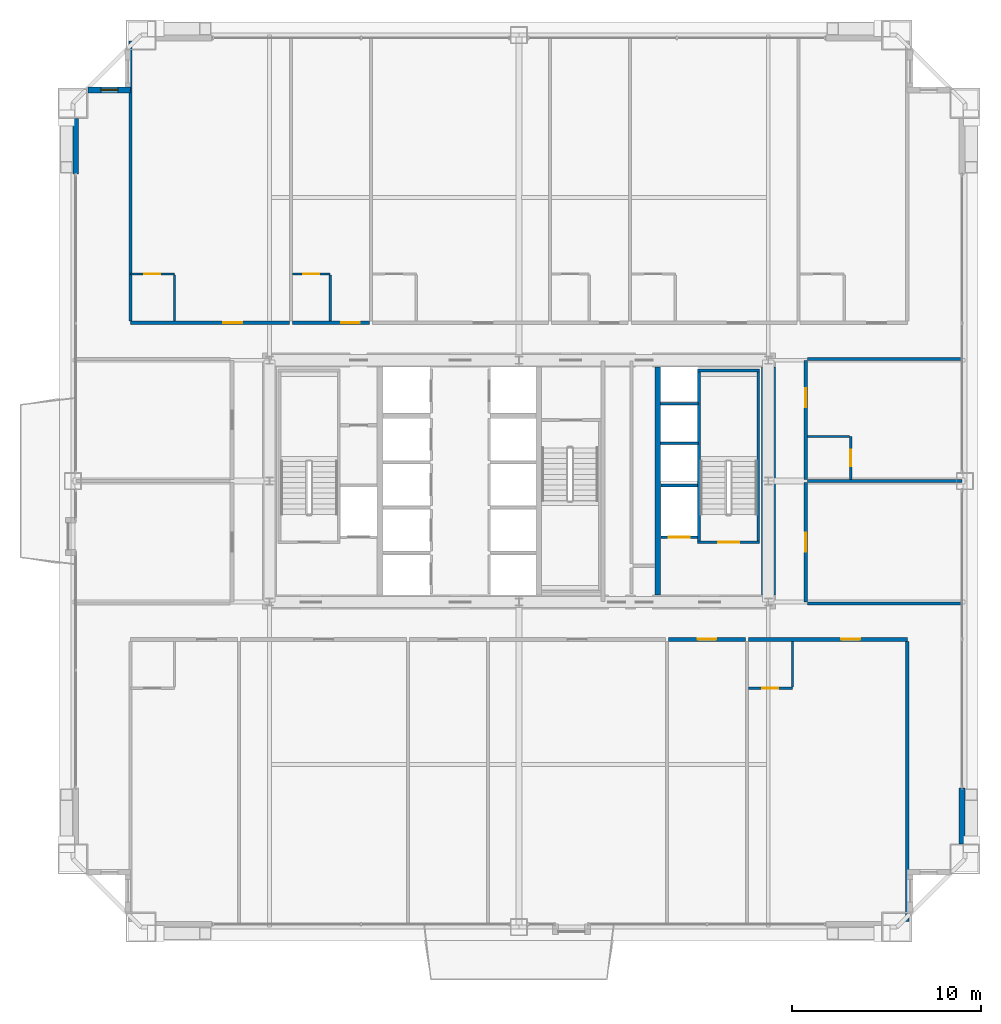
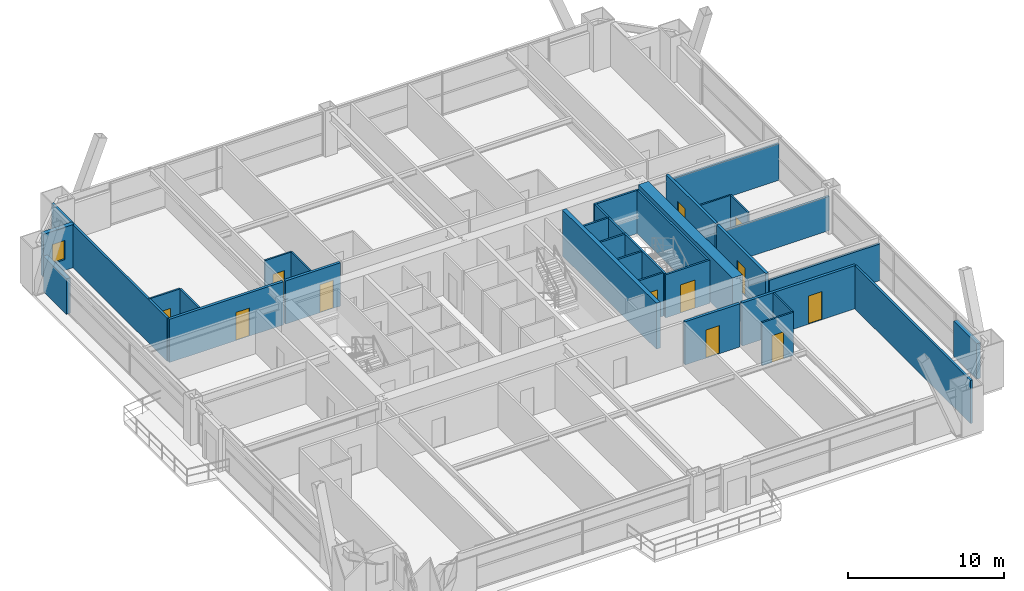
# One storey, part 40 of 42: 32 walls, 12 doors, 1 window, 13 openings.
"""IFC4 building model written with IfcOpenShell, lengths in metres."""

from ifc_helpers import new_model, si_unit, direction, frame, frame_2d, origin, place, context, subcontext, project, spatial, rectangle, extrude, source, transform, mapped, material, layer, layer_set, type_object, element, fill, save


model = new_model("IFC4")

# Units and contexts
model_context = context("Model", 3, precision=1e-05, world=origin(), true_north=direction((0.0, 1.0)))
body_context = subcontext(model_context, "Body", "Model", "MODEL_VIEW")
ifc_project = project(units=[si_unit("LENGTHUNIT", "METRE"), si_unit("AREAUNIT", "SQUARE_METRE"), si_unit("VOLUMEUNIT", "CUBIC_METRE"), si_unit("PLANEANGLEUNIT", "RADIAN"), si_unit("MASSUNIT", "GRAM", prefix="KILO"), si_unit("THERMODYNAMICTEMPERATUREUNIT", "KELVIN"), si_unit("POWERUNIT", "WATT")], contexts=[model_context])

# Site, building, storey
site_placement = place(None, origin())
site = spatial("IfcSite", under=ifc_project, at=site_placement, CompositionType="ELEMENT")
building_placement = place(site_placement, origin())
building = spatial("IfcBuilding", under=site, at=building_placement, Name="Yuzanri Waterfront Tower", CompositionType="ELEMENT")
storey_placement = place(building_placement, frame((0.0, 0.0, 145.199951171875)))
storey = spatial("IfcBuildingStorey", under=building, at=storey_placement, Name="L38", CompositionType="ELEMENT", Elevation=145.199951171875)

# Wall, opening, door
ifc_material_1 = material(Name="Moisture-Resistant Gypsum Stud Wall", Category="gypsum")
ifc_layer_1 = layer(ifc_material_1, 0.1201171875)
ifc_layer_set_1 = layer_set([ifc_layer_1], Name="Moisture-Resistant Gypsum Stud Wall")
wall_type_1 = type_object("IfcWallType", Name="Bathroom and Kitchen Wet Partition 120", PredefinedType="PARTITIONING", material=ifc_layer_set_1)
wall_1_placement = place(storey_placement, frame((49.14208984375, 14.840087890625, 0.0), z_axis=(0.0, 0.0, 1.0), x_axis=(1.0, 0.0, 0.0)))
wall_1 = element("IfcWall", 1, at=wall_1_placement, inside=storey, type_object=wall_type_1, Name="L38 Partition UW-L38-S6-BS", PredefinedType="PARTITIONING", context=body_context, shape_type="SweptSolid", body=[
    extrude(rectangle(XDim=2.329833984375, YDim=0.1201171875, at=frame_2d((1.1650390625, 0.0))), origin(), (0.0, 0.0, 1.0), 3.380126953125),
])
opening_1_placement = place(wall_1_placement, frame((0.739990234375, 0.0, 0.0)))
opening_1 = element("IfcOpeningElement", 2, at=opening_1_placement, cuts=wall_1, Name="Opening ID-0850", PredefinedType="OPENING", context=body_context, shape_type="SweptSolid", body=[
    extrude(rectangle(XDim=0.85009765625, YDim=2.10009765625, at=frame_2d((0.425048828125, 1.050048828125))), frame((0.0, 0.074951171875, 0.0), z_axis=(0.0, -1.0, 0.0), x_axis=(1.0, 0.0, 0.0)), (0.0, 0.0, 1.0), 0.14990234375),
])
ifc_material_2 = material(Name="Moisture-Resistant Lacquered Timber", Category="wood")
door_type_1 = type_object("IfcDoorType", Name="En-Suite Bathroom and Kitchen Swing Door 850x2100", OperationType="NOTDEFINED", PredefinedType="DOOR", material=ifc_material_2)
shared_shape_1 = source(origin(), body_context, "Body", "SweptSolid", [
    extrude(rectangle(XDim=0.85009765625, YDim=2.10009765625, at=frame_2d((0.425048828125, 1.050048828125))), frame((0.0, 0.02490234375, 0.0), z_axis=(0.0, -1.0, 0.0), x_axis=(1.0, 0.0, 0.0)), (0.0, 0.0, 1.0), 0.050048828125),
])
door_1_placement = place(opening_1_placement, origin())
door_1 = element("IfcDoor", 3, at=door_1_placement, inside=storey, type_object=door_type_1, Name="L38 Guest En-Suite Door", OperationType="SINGLE_SWING_LEFT", OverallHeight=2.10009765625, OverallWidth=0.85009765625, PredefinedType="DOOR", context=body_context, shape_type="MappedRepresentation", body=[
    mapped(shared_shape_1, transform((0.0, 0.0, 0.0), scale=1.0)),
])
fill(opening_1, door_1)

wall_2_placement = place(storey_placement, frame((16.43994140625, 36.760009765625, 0.0), z_axis=(0.0, 0.0, 1.0), x_axis=(1.0, 0.0, 0.0)))
wall_2 = element("IfcWall", 4, at=wall_2_placement, inside=storey, type_object=wall_type_1, Name="L38 Partition UW-L38-N1-BN", PredefinedType="PARTITIONING", context=body_context, shape_type="SweptSolid", body=[
    extrude(rectangle(XDim=2.330078125, YDim=0.1201171875, at=frame_2d((1.1650390625, 0.0))), origin(), (0.0, 0.0, 1.0), 3.380126953125),
])
opening_2_placement = place(wall_2_placement, frame((0.739990234375, 0.0, 0.0)))
opening_2 = element("IfcOpeningElement", 5, at=opening_2_placement, cuts=wall_2, Name="Opening ID-0850", PredefinedType="OPENING", context=body_context, shape_type="SweptSolid", body=[
    extrude(rectangle(XDim=0.85009765625, YDim=2.10009765625, at=frame_2d((0.425048828125, 1.050048828125))), frame((0.0, 0.074951171875, 0.0), z_axis=(0.0, -1.0, 0.0), x_axis=(1.0, 0.0, 0.0)), (0.0, 0.0, 1.0), 0.14990234375),
])
door_2_placement = place(opening_2_placement, origin())
door_2 = element("IfcDoor", 6, at=door_2_placement, inside=storey, type_object=door_type_1, Name="L38 Guest En-Suite Door", OperationType="SINGLE_SWING_LEFT", OverallHeight=2.10009765625, OverallWidth=0.85009765625, PredefinedType="DOOR", context=body_context, shape_type="MappedRepresentation", body=[
    mapped(shared_shape_1, transform((0.0, 0.0, 0.0), scale=1.0)),
])
fill(opening_2, door_2)

wall_3_placement = place(storey_placement, frame((25.01806640625, 36.760009765625, 0.0), z_axis=(0.0, 0.0, 1.0), x_axis=(1.0, 0.0, 0.0)))
wall_3 = element("IfcWall", 7, at=wall_3_placement, inside=storey, type_object=wall_type_1, Name="L38 Partition UW-L38-N2-BN", PredefinedType="PARTITIONING", context=body_context, shape_type="SweptSolid", body=[
    extrude(rectangle(XDim=1.991943359375, YDim=0.1201171875, at=frame_2d((0.99609375, 0.0))), origin(), (0.0, 0.0, 1.0), 3.380126953125),
])
opening_3_placement = place(wall_3_placement, frame((0.571044921875, 0.0, 0.0)))
opening_3 = element("IfcOpeningElement", 8, at=opening_3_placement, cuts=wall_3, Name="Opening ID-0850", PredefinedType="OPENING", context=body_context, shape_type="SweptSolid", body=[
    extrude(rectangle(XDim=0.85009765625, YDim=2.10009765625, at=frame_2d((0.425048828125, 1.050048828125))), frame((0.0, 0.074951171875, 0.0), z_axis=(0.0, -1.0, 0.0), x_axis=(1.0, 0.0, 0.0)), (0.0, 0.0, 1.0), 0.14990234375),
])
door_3_placement = place(opening_3_placement, origin())
door_3 = element("IfcDoor", 9, at=door_3_placement, inside=storey, type_object=door_type_1, Name="L38 Guest En-Suite Door", OperationType="SINGLE_SWING_LEFT", OverallHeight=2.10009765625, OverallWidth=0.85009765625, PredefinedType="DOOR", context=body_context, shape_type="MappedRepresentation", body=[
    mapped(shared_shape_1, transform((0.0, 0.0, 0.0), scale=1.0)),
])
fill(opening_3, door_3)

wall_4_placement = place(storey_placement, frame((54.56005859375, 25.8798828125, 0.0), z_axis=(0.0, 0.0, 1.0), x_axis=(0.0, 1.0, 0.0)))
wall_4 = element("IfcWall", 10, at=wall_4_placement, inside=storey, type_object=wall_type_1, Name="L38 Partition UW-L38-E2-BE2", PredefinedType="PARTITIONING", context=body_context, shape_type="SweptSolid", body=[
    extrude(rectangle(XDim=2.280029296875, YDim=0.1201171875, at=frame_2d((1.14013671875, 0.0))), origin(), (0.0, 0.0, 1.0), 3.380126953125),
])
opening_4_placement = place(wall_4_placement, frame((0.715087890625, 0.0, 0.0)))
opening_4 = element("IfcOpeningElement", 11, at=opening_4_placement, cuts=wall_4, Name="Opening ID-0850", PredefinedType="OPENING", context=body_context, shape_type="SweptSolid", body=[
    extrude(rectangle(XDim=0.85009765625, YDim=2.10009765625, at=frame_2d((0.425048828125, 1.050048828125))), frame((0.0, 0.074951171875, 0.0), z_axis=(0.0, -1.0, 0.0), x_axis=(1.0, 0.0, 0.0)), (0.0, 0.0, 1.0), 0.14990234375),
])
door_4_placement = place(opening_4_placement, origin())
door_4 = element("IfcDoor", 12, at=door_4_placement, inside=storey, type_object=door_type_1, Name="L38 Guest En-Suite Door", OperationType="SINGLE_SWING_RIGHT", OverallHeight=2.10009765625, OverallWidth=0.85009765625, PredefinedType="DOOR", context=body_context, shape_type="MappedRepresentation", body=[
    mapped(shared_shape_1, transform((0.0, 0.0, 0.0), scale=1.0)),
])
fill(opening_4, door_4)

# Wall, opening, window
ifc_material_3 = material(Name="Honed Chongqing Dark Basalt Stone", Category="masonry")
ifc_layer_2 = layer(ifc_material_3, 0.300048828125)
ifc_layer_set_2 = layer_set([ifc_layer_2], Name="Honed Chongqing Dark Basalt Stone")
wall_type_2 = type_object("IfcWallType", Name="Bronze Rainscreen Insulated Spandrel Portal Wall 300", PredefinedType="SOLIDWALL", material=ifc_layer_set_2)
wall_5_placement = place(storey_placement, frame((16.449951171875, 46.5, 0.0), z_axis=(0.0, 0.0, 1.0), x_axis=(-1.0, 0.0, 0.0)))
wall_5 = element("IfcWall", 13, at=wall_5_placement, inside=storey, type_object=wall_type_2, Name="L38 Notched Corner Masonry Wall NW-X", PredefinedType="SOLIDWALL", context=body_context, shape_type="SweptSolid", body=[
    extrude(rectangle(XDim=2.25, YDim=0.300048828125, at=frame_2d((1.125, 0.0))), origin(), (0.0, 0.0, 1.0), 3.380126953125),
])
opening_5_placement = place(wall_5_placement, frame((0.675048828125, 0.0, 0.85009765625)))
opening_5 = element("IfcOpeningElement", 14, at=opening_5_placement, cuts=wall_5, Name="Opening WN-05", PredefinedType="OPENING", context=body_context, shape_type="SweptSolid", body=[
    extrude(rectangle(XDim=0.89990234375, YDim=1.5, at=frame_2d((0.449951171875, 0.75))), frame((0.0, 0.1650390625, 0.0), z_axis=(0.0, -1.0, 0.0), x_axis=(1.0, 0.0, 0.0)), (0.0, 0.0, 1.0), 0.329833984375),
])
ifc_material_4 = material(Name="Double-Silver Low-E Insulated Glass", Category="glass")
window_type = type_object("IfcWindowType", Name="Anodized Bronze Service and Stairwell Smoke-Vent Window 900x1500", PartitioningType="SINGLE_PANEL", PredefinedType="WINDOW", material=ifc_material_4)
shared_shape_2 = source(origin(), body_context, "Body", "SweptSolid", [
    extrude(rectangle(XDim=0.89990234375, YDim=1.5, at=frame_2d((0.449951171875, 0.75))), frame((0.0, 0.030029296875, 0.0), z_axis=(0.0, -1.0, 0.0), x_axis=(1.0, 0.0, 0.0)), (0.0, 0.0, 1.0), 0.06005859375),
])
window_placement = place(opening_5_placement, origin())
window = element("IfcWindow", 15, at=window_placement, inside=storey, type_object=window_type, Name="L38 Notched Corner Window NW-X", OverallHeight=1.5, OverallWidth=0.89990234375, PartitioningType="SINGLE_PANEL", PredefinedType="WINDOW", context=body_context, shape_type="MappedRepresentation", body=[
    mapped(shared_shape_2, transform((0.0, 0.0, 0.0), scale=1.0)),
])
fill(opening_5, window)

# Wall, opening, door
ifc_material_5 = material(Name="Concrete C40", Category="concrete")
ifc_layer_3 = layer(ifc_material_5, 0.139892578125)
ifc_layer_set_3 = layer_set([ifc_layer_3], Name="Concrete C40")
wall_type_3 = type_object("IfcWallType", Name="Core Stair Liner and Hoistway Shaft Wall 140", PredefinedType="SOLIDWALL", material=ifc_layer_set_3)
wall_6_placement = place(storey_placement, frame((44.52001953125, 22.830078125, 0.0), z_axis=(0.0, 0.0, 1.0), x_axis=(1.0, 0.0, 0.0)))
wall_6 = element("IfcWall", 16, at=wall_6_placement, inside=storey, type_object=wall_type_3, Name="L38 Lift FL-02 Front Shaft Wall", PredefinedType="SOLIDWALL", context=body_context, shape_type="SweptSolid", body=[
    extrude(rectangle(XDim=1.919921875, YDim=0.139892578125, at=frame_2d((0.9599609375, 0.0))), origin(), (0.0, 0.0, 1.0), 3.380126953125),
])
opening_6_placement = place(wall_6_placement, frame((0.409912109375, 0.0, 0.0)))
opening_6 = element("IfcOpeningElement", 17, at=opening_6_placement, cuts=wall_6, Name="Opening LD-FL-02", PredefinedType="OPENING", context=body_context, shape_type="SweptSolid", body=[
    extrude(rectangle(XDim=1.10009765625, YDim=2.199951171875, at=frame_2d((0.550048828125, 1.10009765625))), frame((0.0, 0.0849609375, 0.0), z_axis=(0.0, -1.0, 0.0), x_axis=(1.0, 0.0, 0.0)), (0.0, 0.0, 1.0), 0.169677734375),
])
ifc_material_6 = material(Name="Brushed Bronze and Stainless Steel Cab", Category="steel")
door_type_2 = type_object("IfcDoorType", Name="Center-Parting Bronze Lift Landing Sliding Door 1100x2200", OperationType="NOTDEFINED", PredefinedType="DOOR", material=ifc_material_6)
shared_shape_3 = source(origin(), body_context, "Body", "SweptSolid", [
    extrude(rectangle(XDim=1.10009765625, YDim=2.199951171875, at=frame_2d((0.550048828125, 1.10009765625))), frame((0.0, 0.02490234375, 0.0), z_axis=(0.0, -1.0, 0.0), x_axis=(1.0, 0.0, 0.0)), (0.0, 0.0, 1.0), 0.050048828125),
])
door_5_placement = place(opening_6_placement, origin())
door_5 = element("IfcDoor", 18, at=door_5_placement, inside=storey, type_object=door_type_2, Name="L38 FL-02 Lift Landing Sliding Door", OperationType="SLIDING_TO_RIGHT", OverallHeight=2.199951171875, OverallWidth=1.10009765625, PredefinedType="DOOR", context=body_context, shape_type="MappedRepresentation", body=[
    mapped(shared_shape_3, transform((0.0, 0.0, 0.0), scale=1.0)),
])
fill(opening_6, door_5)

wall_7_placement = place(storey_placement, frame((46.4599609375, 22.570068359375, 0.0), z_axis=(0.0, 0.0, 1.0), x_axis=(1.0, 0.0, 0.0)))
wall_7 = element("IfcWall", 19, at=wall_7_placement, inside=storey, type_object=wall_type_3, Name="L38 Shaft Wall STW-L38-ST-02-S", PredefinedType="SOLIDWALL", context=body_context, shape_type="SweptSolid", body=[
    extrude(rectangle(XDim=3.280029296875, YDim=0.139892578125, at=frame_2d((1.64013671875, 0.0))), origin(), (0.0, 0.0, 1.0), 3.380126953125),
])
opening_7_placement = place(wall_7_placement, frame((1.090087890625, 0.0, 0.0)))
opening_7 = element("IfcOpeningElement", 20, at=opening_7_placement, cuts=wall_7, Name="Opening FD-1100", PredefinedType="OPENING", context=body_context, shape_type="SweptSolid", body=[
    extrude(rectangle(XDim=1.10009765625, YDim=2.199951171875, at=frame_2d((0.550048828125, 1.10009765625))), frame((0.0, 0.0849609375, 0.0), z_axis=(0.0, -1.0, 0.0), x_axis=(1.0, 0.0, 0.0)), (0.0, 0.0, 1.0), 0.169677734375),
])
ifc_material_7 = material(Name="Painted Galvanized Fire Steel", Category="steel")
door_type_3 = type_object("IfcDoorType", Name="Smoke-Proof Stair and Lobby Fire Door 1100x2200", OperationType="NOTDEFINED", PredefinedType="DOOR", material=ifc_material_7)
shared_shape_4 = source(origin(), body_context, "Body", "SweptSolid", [
    extrude(rectangle(XDim=1.10009765625, YDim=2.199951171875, at=frame_2d((0.550048828125, 1.10009765625))), frame((0.0, 0.02490234375, 0.0), z_axis=(0.0, -1.0, 0.0), x_axis=(1.0, 0.0, 0.0)), (0.0, 0.0, 1.0), 0.050048828125),
])
door_6_placement = place(opening_7_placement, origin())
door_6 = element("IfcDoor", 21, at=door_6_placement, inside=storey, type_object=door_type_3, Name="L38 Stair ST-02 Fire Door", OperationType="SINGLE_SWING_RIGHT", OverallHeight=2.199951171875, OverallWidth=1.10009765625, PredefinedType="DOOR", context=body_context, shape_type="MappedRepresentation", body=[
    mapped(shared_shape_4, transform((0.0, 0.0, 0.0), scale=1.0)),
])
fill(opening_7, door_6)

ifc_material_8 = material(Name="Autoclaved Aerated Concrete Blockwork", Category="masonry")
ifc_layer_4 = layer(ifc_material_8, 0.199951171875)
ifc_layer_set_4 = layer_set([ifc_layer_4], Name="Autoclaved Aerated Concrete Blockwork")
wall_type_4 = type_object("IfcWallType", Name="Corridor and Unit Party Fire Wall 200", PredefinedType="PARTITIONING", material=ifc_layer_set_4)
wall_8_placement = place(storey_placement, frame((44.919921875, 17.419921875, 0.0), z_axis=(0.0, 0.0, 1.0), x_axis=(1.0, 0.0, 0.0)))
wall_8 = element("IfcWall", 22, at=wall_8_placement, inside=storey, type_object=wall_type_4, Name="L38 Partition UW-L38-S5-CN", PredefinedType="PARTITIONING", context=body_context, shape_type="SweptSolid", body=[
    extrude(rectangle(XDim=4.06201171875, YDim=0.199951171875, at=frame_2d((2.031005859375, 0.0))), origin(), (0.0, 0.0, 1.0), 3.380126953125),
])
opening_8_placement = place(wall_8_placement, frame((1.531005859375, 0.0, 0.0)))
opening_8 = element("IfcOpeningElement", 23, at=opening_8_placement, cuts=wall_8, Name="Opening FD-1000", PredefinedType="OPENING", context=body_context, shape_type="SweptSolid", body=[
    extrude(rectangle(XDim=1.0, YDim=2.199951171875, at=frame_2d((0.5, 1.10009765625))), frame((0.0, 0.11474609375, 0.0), z_axis=(0.0, -1.0, 0.0), x_axis=(1.0, 0.0, 0.0)), (0.0, 0.0, 1.0), 0.229736328125),
])
ifc_material_9 = material(Name="Engineered Oak Fire-Rated Timber", Category="wood")
door_type_4 = type_object("IfcDoorType", Name="Guestroom and Apartment Entrance Fire Door 1000x2200", OperationType="NOTDEFINED", PredefinedType="DOOR", material=ifc_material_9)
shared_shape_5 = source(origin(), body_context, "Body", "SweptSolid", [
    extrude(rectangle(XDim=1.0, YDim=2.199951171875, at=frame_2d((0.5, 1.10009765625))), frame((0.0, 0.02490234375, 0.0), z_axis=(0.0, -1.0, 0.0), x_axis=(1.0, 0.0, 0.0)), (0.0, 0.0, 1.0), 0.050048828125),
])
door_7_placement = place(opening_8_placement, origin())
door_7 = element("IfcDoor", 24, at=door_7_placement, inside=storey, type_object=door_type_4, Name="L38 Private Office 4 Entrance Door", OperationType="SINGLE_SWING_LEFT", OverallHeight=2.199951171875, OverallWidth=1.0, PredefinedType="DOOR", context=body_context, shape_type="MappedRepresentation", body=[
    mapped(shared_shape_5, transform((0.0, 0.0, 0.0), scale=1.0)),
])
fill(opening_8, door_7)

wall_9_placement = place(storey_placement, frame((49.14208984375, 17.419921875, 0.0), z_axis=(0.0, 0.0, 1.0), x_axis=(1.0, 0.0, 0.0)))
wall_9 = element("IfcWall", 25, at=wall_9_placement, inside=storey, type_object=wall_type_4, Name="L38 Partition UW-L38-S6-CN", PredefinedType="PARTITIONING", context=body_context, shape_type="SweptSolid", body=[
    extrude(rectangle(XDim=8.41796875, YDim=0.199951171875, at=frame_2d((4.208984375, 0.0))), origin(), (0.0, 0.0, 1.0), 3.380126953125),
])
opening_9_placement = place(wall_9_placement, frame((4.9140625, 0.0, 0.0)))
opening_9 = element("IfcOpeningElement", 26, at=opening_9_placement, cuts=wall_9, Name="Opening FD-1000", PredefinedType="OPENING", context=body_context, shape_type="SweptSolid", body=[
    extrude(rectangle(XDim=1.0, YDim=2.199951171875, at=frame_2d((0.5, 1.10009765625))), frame((0.0, 0.11474609375, 0.0), z_axis=(0.0, -1.0, 0.0), x_axis=(1.0, 0.0, 0.0)), (0.0, 0.0, 1.0), 0.229736328125),
])
door_8_placement = place(opening_9_placement, origin())
door_8 = element("IfcDoor", 27, at=door_8_placement, inside=storey, type_object=door_type_4, Name="L38 Ambassador Suite Entrance Door", OperationType="SINGLE_SWING_RIGHT", OverallHeight=2.199951171875, OverallWidth=1.0, PredefinedType="DOOR", context=body_context, shape_type="MappedRepresentation", body=[
    mapped(shared_shape_5, transform((0.0, 0.0, 0.0), scale=1.0)),
])
fill(opening_9, door_8)

wall_10_placement = place(storey_placement, frame((16.43994140625, 34.179931640625, 0.0), z_axis=(0.0, 0.0, 1.0), x_axis=(1.0, 0.0, 0.0)))
wall_10 = element("IfcWall", 28, at=wall_10_placement, inside=storey, type_object=wall_type_4, Name="L38 Partition UW-L38-N1-CS", PredefinedType="PARTITIONING", context=body_context, shape_type="SweptSolid", body=[
    extrude(rectangle(XDim=8.41796875, YDim=0.199951171875, at=frame_2d((4.208984375, 0.0))), origin(), (0.0, 0.0, 1.0), 3.380126953125),
])
opening_10_placement = place(wall_10_placement, frame((4.9140625, 0.0, 0.0)))
opening_10 = element("IfcOpeningElement", 29, at=opening_10_placement, cuts=wall_10, Name="Opening FD-1000", PredefinedType="OPENING", context=body_context, shape_type="SweptSolid", body=[
    extrude(rectangle(XDim=1.0, YDim=2.199951171875, at=frame_2d((0.5, 1.10009765625))), frame((0.0, 0.11474609375, 0.0), z_axis=(0.0, -1.0, 0.0), x_axis=(1.0, 0.0, 0.0)), (0.0, 0.0, 1.0), 0.229736328125),
])
door_9_placement = place(opening_10_placement, origin())
door_9 = element("IfcDoor", 30, at=door_9_placement, inside=storey, type_object=door_type_4, Name="L38 Deluxe Twin Junior Suite Entrance Door", OperationType="SINGLE_SWING_RIGHT", OverallHeight=2.199951171875, OverallWidth=1.0, PredefinedType="DOOR", context=body_context, shape_type="MappedRepresentation", body=[
    mapped(shared_shape_5, transform((0.0, 0.0, 0.0), scale=1.0)),
])
fill(opening_10, door_9)

wall_11_placement = place(storey_placement, frame((25.01806640625, 34.179931640625, 0.0), z_axis=(0.0, 0.0, 1.0), x_axis=(1.0, 0.0, 0.0)))
wall_11 = element("IfcWall", 31, at=wall_11_placement, inside=storey, type_object=wall_type_4, Name="L38 Partition UW-L38-N2-CS", PredefinedType="PARTITIONING", context=body_context, shape_type="SweptSolid", body=[
    extrude(rectangle(XDim=4.06201171875, YDim=0.199951171875, at=frame_2d((2.031005859375, 0.0))), origin(), (0.0, 0.0, 1.0), 3.380126953125),
])
opening_11_placement = place(wall_11_placement, frame((2.56689453125, 0.0, 0.0)))
opening_11 = element("IfcOpeningElement", 32, at=opening_11_placement, cuts=wall_11, Name="Opening FD-1000", PredefinedType="OPENING", context=body_context, shape_type="SweptSolid", body=[
    extrude(rectangle(XDim=1.0, YDim=2.199951171875, at=frame_2d((0.5, 1.10009765625))), frame((0.0, 0.11474609375, 0.0), z_axis=(0.0, -1.0, 0.0), x_axis=(1.0, 0.0, 0.0)), (0.0, 0.0, 1.0), 0.229736328125),
])
door_10_placement = place(opening_11_placement, origin())
door_10 = element("IfcDoor", 33, at=door_10_placement, inside=storey, type_object=door_type_4, Name="L38 Deluxe Twin Guest Room Entrance Door", OperationType="SINGLE_SWING_RIGHT", OverallHeight=2.199951171875, OverallWidth=1.0, PredefinedType="DOOR", context=body_context, shape_type="MappedRepresentation", body=[
    mapped(shared_shape_5, transform((0.0, 0.0, 0.0), scale=1.0)),
])
fill(opening_11, door_10)

wall_12_placement = place(storey_placement, frame((52.179931640625, 19.409912109375, 0.0), z_axis=(0.0, 0.0, 1.0), x_axis=(0.0, 1.0, 0.0)))
wall_12 = element("IfcWall", 34, at=wall_12_placement, inside=storey, type_object=wall_type_4, Name="L38 Partition UW-L38-E1-CW", PredefinedType="PARTITIONING", context=body_context, shape_type="SweptSolid", body=[
    extrude(rectangle(XDim=6.31005859375, YDim=0.199951171875, at=frame_2d((3.155029296875, 0.0))), origin(), (0.0, 0.0, 1.0), 3.380126953125),
])
opening_12_placement = place(wall_12_placement, frame((2.655029296875, 0.0, 0.0)))
opening_12 = element("IfcOpeningElement", 35, at=opening_12_placement, cuts=wall_12, Name="Opening FD-1000", PredefinedType="OPENING", context=body_context, shape_type="SweptSolid", body=[
    extrude(rectangle(XDim=1.0, YDim=2.199951171875, at=frame_2d((0.5, 1.10009765625))), frame((0.0, 0.11474609375, 0.0), z_axis=(0.0, -1.0, 0.0), x_axis=(1.0, 0.0, 0.0)), (0.0, 0.0, 1.0), 0.229736328125),
])
door_11_placement = place(opening_12_placement, origin())
door_11 = element("IfcDoor", 36, at=door_11_placement, inside=storey, type_object=door_type_4, Name="L38 East Tea Restaurant Entrance Door", OperationType="SINGLE_SWING_RIGHT", OverallHeight=2.199951171875, OverallWidth=1.0, PredefinedType="DOOR", context=body_context, shape_type="MappedRepresentation", body=[
    mapped(shared_shape_5, transform((0.0, 0.0, 0.0), scale=1.0)),
])
fill(opening_12, door_11)

wall_13_placement = place(storey_placement, frame((52.179931640625, 25.8798828125, 0.0), z_axis=(0.0, 0.0, 1.0), x_axis=(0.0, 1.0, 0.0)))
wall_13 = element("IfcWall", 37, at=wall_13_placement, inside=storey, type_object=wall_type_4, Name="L38 Partition UW-L38-E2-CW", PredefinedType="PARTITIONING", context=body_context, shape_type="SweptSolid", body=[
    extrude(rectangle(XDim=6.31005859375, YDim=0.199951171875, at=frame_2d((3.155029296875, 0.0))), origin(), (0.0, 0.0, 1.0), 3.380126953125),
])
opening_13_placement = place(wall_13_placement, frame((3.8349609375, 0.0, 0.0)))
opening_13 = element("IfcOpeningElement", 38, at=opening_13_placement, cuts=wall_13, Name="Opening FD-1000", PredefinedType="OPENING", context=body_context, shape_type="SweptSolid", body=[
    extrude(rectangle(XDim=1.0, YDim=2.199951171875, at=frame_2d((0.5, 1.10009765625))), frame((0.0, 0.11474609375, 0.0), z_axis=(0.0, -1.0, 0.0), x_axis=(1.0, 0.0, 0.0)), (0.0, 0.0, 1.0), 0.229736328125),
])
door_12_placement = place(opening_13_placement, origin())
door_12 = element("IfcDoor", 39, at=door_12_placement, inside=storey, type_object=door_type_4, Name="L38 East Guest Room Entrance Door", OperationType="SINGLE_SWING_LEFT", OverallHeight=2.199951171875, OverallWidth=1.0, PredefinedType="DOOR", context=body_context, shape_type="MappedRepresentation", body=[
    mapped(shared_shape_5, transform((0.0, 0.0, 0.0), scale=1.0)),
])
fill(opening_13, door_12)

# Walls
ifc_material_10 = material(Name="Concrete C55", Category="concrete")
ifc_layer_5 = layer(ifc_material_10, 0.75)
ifc_layer_set_5 = layer_set([ifc_layer_5], Name="Concrete C55")
wall_type_5 = type_object("IfcWallType", Name="Concrete C55 Low-Mid Zone Core Shear Wall 750", PredefinedType="SHEAR", material=ifc_layer_set_5)
shared_shape_6 = source(origin(), body_context, "Body", "SweptSolid", [
    extrude(rectangle(XDim=12.050048828125, YDim=0.75, at=frame_2d((6.02490234375, 0.0))), origin(), (0.0, 0.0, 1.0), 3.60009765625),
])
wall_14_placement = place(storey_placement, frame((50.199951171875, 19.77490234375, 0.0), z_axis=(0.0, 0.0, 1.0), x_axis=(0.0, 1.0, 0.0)))
element("IfcWall", 40, at=wall_14_placement, inside=storey, type_object=wall_type_5, Name="L38 Core East Shear Wall", PredefinedType="SHEAR", context=body_context, shape_type="MappedRepresentation", body=[
    mapped(shared_shape_6, transform((0.0, 0.0, 0.0), scale=1.0)),
])
ifc_material_11 = material(Name="Concrete C50", Category="concrete")
ifc_layer_6 = layer(ifc_material_11, 0.300048828125)
ifc_layer_set_6 = layer_set([ifc_layer_6], Name="Concrete C50")
wall_type_6 = type_object("IfcWallType", Name="Concrete C50 Internal Core Shaft Structural Wall 300", PredefinedType="SOLIDWALL", material=ifc_layer_set_6)
shared_shape_7 = source(origin(), body_context, "Body", "SweptSolid", [
    extrude(rectangle(XDim=12.050048828125, YDim=0.300048828125, at=frame_2d((6.02490234375, 0.0))), origin(), (0.0, 0.0, 1.0), 3.60009765625),
])
wall_15_placement = place(storey_placement, frame((44.35009765625, 19.77490234375, 0.0), z_axis=(0.0, 0.0, 1.0), x_axis=(0.0, 1.0, 0.0)))
element("IfcWall", 41, at=wall_15_placement, inside=storey, type_object=wall_type_6, Name="L38 Core Internal Structural Web Wall 3", PredefinedType="SOLIDWALL", context=body_context, shape_type="MappedRepresentation", body=[
    mapped(shared_shape_7, transform((0.0, 0.0, 0.0), scale=1.0)),
])
shared_shape_8 = source(origin(), body_context, "Body", "SweptSolid", [
    extrude(rectangle(XDim=2.949951171875, YDim=0.300048828125, at=frame_2d((1.47509765625, 0.0))), origin(), (0.0, 0.0, 1.0), 2.775146484375),
])
for number, where, z_axis, x_axis, name in (
    (42, (13.550048828125, 42.050048828125, 0.0), (0.0, 0.0, 1.0), (0.0, 1.0, 0.0), "L38 W Right Braced Masonry Shoulder"),
    (43, (60.449951171875, 6.60009765625, 0.0), (0.0, 0.0, 1.0), (0.0, 1.0, 0.0), "L38 E Left Braced Masonry Shoulder"),
):
    element("IfcWall", number, at=place(storey_placement, frame(where, z_axis=z_axis, x_axis=x_axis)), inside=storey, type_object=wall_type_2, Name=name, PredefinedType="SOLIDWALL", context=body_context, shape_type="MappedRepresentation", body=[
        mapped(shared_shape_8, transform((0.0, 0.0, 0.0), scale=1.0)),
    ])
shared_shape_9 = source(origin(), body_context, "Body", "SweptSolid", [
    extrude(rectangle(XDim=1.919921875, YDim=0.139892578125, at=frame_2d((0.9599609375, 0.0))), origin(), (0.0, 0.0, 1.0), 3.380126953125),
])
wall_16_placement = place(storey_placement, frame((44.52001953125, 25.570068359375, 0.0), z_axis=(0.0, 0.0, 1.0), x_axis=(1.0, 0.0, 0.0)))
element("IfcWall", 44, at=wall_16_placement, inside=storey, type_object=wall_type_3, Name="L38 Lift FL-02 Back Shaft Wall", PredefinedType="SOLIDWALL", context=body_context, shape_type="MappedRepresentation", body=[
    mapped(shared_shape_9, transform((0.0, 0.0, 0.0), scale=1.0)),
])
shared_shape_10 = source(origin(), body_context, "Body", "SweptSolid", [
    extrude(rectangle(XDim=2.0, YDim=0.139892578125, at=frame_2d((1.0, 0.0))), origin(), (0.0, 0.0, 1.0), 3.380126953125),
])
for number, where, z_axis, x_axis, name in (
    (45, (44.5, 27.800048828125, 0.0), (0.0, 0.0, 1.0), (1.0, 0.0, 0.0), "L38 Lift PL-09 Divider Wall"),
    (46, (44.5, 29.89990234375, 0.0), (0.0, 0.0, 1.0), (1.0, 0.0, 0.0), "L38 Lift PL-10 Divider Wall"),
):
    element("IfcWall", number, at=place(storey_placement, frame(where, z_axis=z_axis, x_axis=x_axis)), inside=storey, type_object=wall_type_3, Name=name, PredefinedType="SOLIDWALL", context=body_context, shape_type="MappedRepresentation", body=[
        mapped(shared_shape_10, transform((0.0, 0.0, 0.0), scale=1.0)),
    ])
shared_shape_11 = source(origin(), body_context, "Body", "SweptSolid", [
    extrude(rectangle(XDim=3.280029296875, YDim=0.139892578125, at=frame_2d((1.64013671875, 0.0))), origin(), (0.0, 0.0, 1.0), 3.380126953125),
])
wall_17_placement = place(storey_placement, frame((46.4599609375, 31.64990234375, 0.0), z_axis=(0.0, 0.0, 1.0), x_axis=(1.0, 0.0, 0.0)))
element("IfcWall", 47, at=wall_17_placement, inside=storey, type_object=wall_type_3, Name="L38 Stair ST-02 North Shaft Wall", PredefinedType="SOLIDWALL", context=body_context, shape_type="MappedRepresentation", body=[
    mapped(shared_shape_11, transform((0.0, 0.0, 0.0), scale=1.0)),
])
shared_shape_12 = source(origin(), body_context, "Body", "SweptSolid", [
    extrude(rectangle(XDim=8.940185546875, YDim=0.139892578125, at=frame_2d((4.47021484375, 0.0))), origin(), (0.0, 0.0, 1.0), 3.380126953125),
])
for number, where, z_axis, x_axis, name in (
    (48, (46.530029296875, 22.639892578125, 0.0), (0.0, 0.0, 1.0), (0.0, 1.0, 0.0), "L38 Stair ST-02 West Shaft Wall"),
    (49, (49.669921875, 22.639892578125, 0.0), (0.0, 0.0, 1.0), (0.0, 1.0, 0.0), "L38 Stair ST-02 East Shaft Wall"),
):
    element("IfcWall", number, at=place(storey_placement, frame(where, z_axis=z_axis, x_axis=x_axis)), inside=storey, type_object=wall_type_3, Name=name, PredefinedType="SOLIDWALL", context=body_context, shape_type="MappedRepresentation", body=[
        mapped(shared_shape_12, transform((0.0, 0.0, 0.0), scale=1.0)),
    ])
shared_shape_13 = source(origin(), body_context, "Body", "SweptSolid", [
    extrude(rectangle(XDim=2.420166015625, YDim=0.1201171875, at=frame_2d((1.2099609375, 0.0))), origin(), (0.0, 0.0, 1.0), 3.380126953125),
])
wall_18_placement = place(storey_placement, frame((51.471923828125, 14.89990234375, 0.0), z_axis=(0.0, 0.0, 1.0), x_axis=(0.0, 1.0, 0.0)))
element("IfcWall", 50, at=wall_18_placement, inside=storey, type_object=wall_type_1, Name="L38-S6 En-Suite Side Wall", PredefinedType="PARTITIONING", context=body_context, shape_type="MappedRepresentation", body=[
    mapped(shared_shape_13, transform((0.0, 0.0, 0.0), scale=1.0)),
])
shared_shape_14 = source(origin(), body_context, "Body", "SweptSolid", [
    extrude(rectangle(XDim=2.419921875, YDim=0.1201171875, at=frame_2d((1.2099609375, 0.0))), origin(), (0.0, 0.0, 1.0), 3.380126953125),
])
for number, where, z_axis, x_axis, name in (
    (51, (18.77001953125, 34.280029296875, 0.0), (0.0, 0.0, 1.0), (0.0, 1.0, 0.0), "L38-N1 En-Suite Side Wall"),
    (52, (27.010009765625, 34.280029296875, 0.0), (0.0, 0.0, 1.0), (0.0, 1.0, 0.0), "L38-N2 En-Suite Side Wall"),
):
    element("IfcWall", number, at=place(storey_placement, frame(where, z_axis=z_axis, x_axis=x_axis)), inside=storey, type_object=wall_type_1, Name=name, PredefinedType="PARTITIONING", context=body_context, shape_type="MappedRepresentation", body=[
        mapped(shared_shape_14, transform((0.0, 0.0, 0.0), scale=1.0)),
    ])
shared_shape_15 = source(origin(), body_context, "Body", "SweptSolid", [
    extrude(rectangle(XDim=2.219970703125, YDim=0.1201171875, at=frame_2d((1.10986328125, 0.0))), origin(), (0.0, 0.0, 1.0), 3.380126953125),
])
wall_19_placement = place(storey_placement, frame((52.280029296875, 28.159912109375, 0.0), z_axis=(0.0, 0.0, 1.0), x_axis=(1.0, 0.0, 0.0)))
element("IfcWall", 53, at=wall_19_placement, inside=storey, type_object=wall_type_1, Name="L38-E2 En-Suite Top Wall", PredefinedType="PARTITIONING", context=body_context, shape_type="MappedRepresentation", body=[
    mapped(shared_shape_15, transform((0.0, 0.0, 0.0), scale=1.0)),
])
ifc_material_12 = material(Name="Gypsum Fireboard Acoustic Stud Wall", Category="gypsum")
ifc_layer_7 = layer(ifc_material_12, 0.159912109375)
ifc_layer_set_7 = layer_set([ifc_layer_7], Name="Gypsum Fireboard Acoustic Stud Wall")
wall_type_7 = type_object("IfcWallType", Name="Acoustic Suite Demising Partition 160", PredefinedType="PARTITIONING", material=ifc_layer_set_7)
shared_shape_16 = source(origin(), body_context, "Body", "SweptSolid", [
    extrude(rectangle(XDim=14.820068359375, YDim=0.159912109375, at=frame_2d((7.41015625, 0.0))), origin(), (0.0, 0.0, 1.0), 3.380126953125),
])
for number, where, z_axis, x_axis, name in (
    (54, (57.550048828125, 2.5, 0.0), (0.0, 0.0, 1.0), (0.0, 1.0, 0.0), "L38 South Band East End Wall"),
    (55, (16.449951171875, 34.280029296875, 0.0), (0.0, 0.0, 1.0), (0.0, 1.0, 0.0), "L38 North Band West End Wall"),
):
    element("IfcWall", number, at=place(storey_placement, frame(where, z_axis=z_axis, x_axis=x_axis)), inside=storey, type_object=wall_type_7, Name=name, PredefinedType="PARTITIONING", context=body_context, shape_type="MappedRepresentation", body=[
        mapped(shared_shape_16, transform((0.0, 0.0, 0.0), scale=1.0)),
    ])
shared_shape_17 = source(origin(), body_context, "Body", "SweptSolid", [
    extrude(rectangle(XDim=8.169921875, YDim=0.159912109375, at=frame_2d((4.0849609375, 0.0))), origin(), (0.0, 0.0, 1.0), 2.675048828125),
])
wall_20_placement = place(storey_placement, frame((52.280029296875, 25.800048828125, 0.0), z_axis=(0.0, 0.0, 1.0), x_axis=(1.0, 0.0, 0.0)))
element("IfcWall", 56, at=wall_20_placement, inside=storey, type_object=wall_type_7, Name="L38-E1 Wing Party Wall", PredefinedType="PARTITIONING", context=body_context, shape_type="MappedRepresentation", body=[
    mapped(shared_shape_17, transform((0.0, 0.0, 0.0), scale=1.0)),
])
shared_shape_18 = source(origin(), body_context, "Body", "SweptSolid", [
    extrude(rectangle(XDim=8.169921875, YDim=0.159912109375, at=frame_2d((4.0849609375, 0.0))), origin(), (0.0, 0.0, 1.0), 2.875),
])
for number, where, z_axis, x_axis, name in (
    (57, (52.280029296875, 19.330078125, 0.0), (0.0, 0.0, 1.0), (1.0, 0.0, 0.0), "L38-E1 Wing South End Wall"),
    (58, (52.280029296875, 32.27001953125, 0.0), (0.0, 0.0, 1.0), (1.0, 0.0, 0.0), "L38-E2 Wing North End Wall"),
):
    element("IfcWall", number, at=place(storey_placement, frame(where, z_axis=z_axis, x_axis=x_axis)), inside=storey, type_object=wall_type_7, Name=name, PredefinedType="PARTITIONING", context=body_context, shape_type="MappedRepresentation", body=[
        mapped(shared_shape_18, transform((0.0, 0.0, 0.0), scale=1.0)),
    ])

save(model, "model.ifc")
